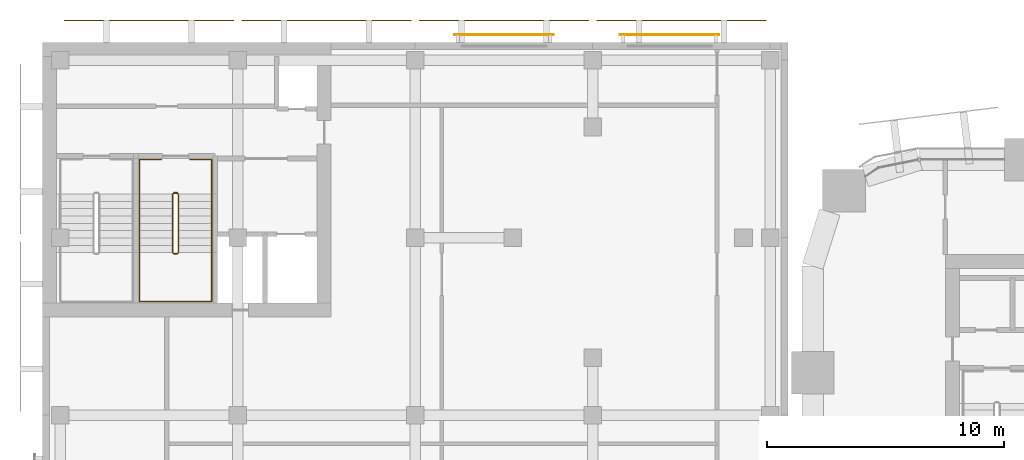
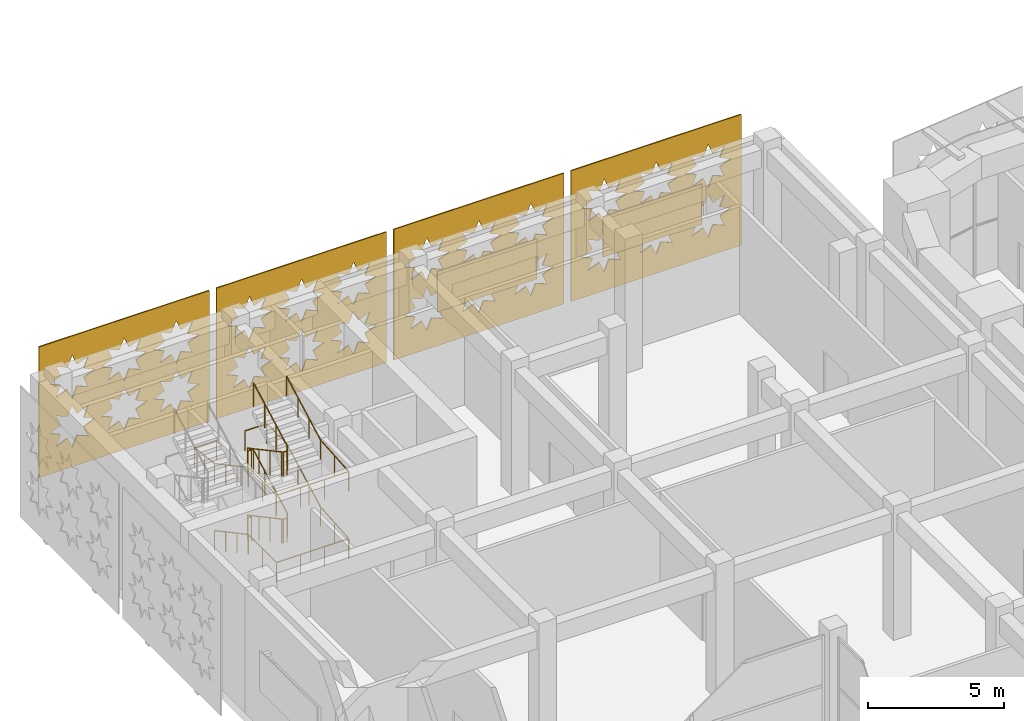
# One storey, part 40 of 46: 6 coverings, 3 railings.
"""IFC4 building model written with IfcOpenShell, lengths in metres."""

from ifc_helpers import new_model, si_unit, direction, frame, origin, origin_2d, place, context, subcontext, project, spatial, polyline, rectangle, circle, outline, extrude, material, layer, layer_set, type_object, element, save


model = new_model("IFC4")

# Units and contexts
model_context = context("Model", 3, precision=1e-05, world=origin(), true_north=direction((0.0, 1.0)))
body_context = subcontext(model_context, "Body", "Model", "MODEL_VIEW")
ifc_project = project(units=[si_unit("LENGTHUNIT", "METRE"), si_unit("AREAUNIT", "SQUARE_METRE"), si_unit("VOLUMEUNIT", "CUBIC_METRE"), si_unit("PLANEANGLEUNIT", "RADIAN"), si_unit("MASSUNIT", "GRAM", prefix="KILO")], contexts=[model_context])

# Site, building, storey
site_placement = place(None, origin())
site = spatial("IfcSite", under=ifc_project, at=site_placement, CompositionType="ELEMENT")
building_placement = place(site_placement, origin())
building = spatial("IfcBuilding", under=site, at=building_placement, Name="Tessera Arch", CompositionType="ELEMENT")
storey_placement = place(building_placement, frame((0.0, 0.0, 8.0)))
storey = spatial("IfcBuildingStorey", under=building, at=storey_placement, Name="L01", CompositionType="ELEMENT", Elevation=8.0)

# Coverings
ifc_material_1 = material(Name="Anodised aluminium pale metal", Category="aluminium")
ifc_layer_1 = layer(ifc_material_1, 0.050048828125)
ifc_layer_set_1 = layer_set([ifc_layer_1], Name="Museum lattice skin panel")
covering_type_1 = type_object("IfcCoveringType", Name="Museum lattice skin panel", PredefinedType="CLADDING", material=ifc_layer_set_1)
covering_1_placement = place(storey_placement, frame((-1.949951171875, 59.85009765625, 5.949951171875), z_axis=(0.0, -1.0, 0.0), x_axis=(-1.0, 0.0, 0.0)))
element("IfcCovering", 1, at=covering_1_placement, inside=storey, type_object=covering_type_1, Name="Museum lattice skin L01 5-2", PredefinedType="CLADDING", context=body_context, shape_type="SweptSolid", body=[
    extrude(outline(polyline([(0.0, 0.0), (7.199951171875, 0.0), (7.199951171875, 5.849853515625), (0.0, 5.849853515625), (0.0, 0.0)]), holes=[polyline([(2.3681640625, 4.02490234375), (1.887939453125, 3.822998046875), (2.083984375, 3.341064453125), (1.60205078125, 3.536865234375), (1.400146484375, 3.056884765625), (1.197998046875, 3.536865234375), (0.716064453125, 3.341064453125), (0.912109375, 3.822998046875), (0.43212890625, 4.02490234375), (0.912109375, 4.22705078125), (0.716064453125, 4.708984375), (1.197998046875, 4.512939453125), (1.400146484375, 4.992919921875), (1.60205078125, 4.512939453125), (2.083984375, 4.708984375), (1.887939453125, 4.22705078125), (2.3681640625, 4.02490234375)]), polyline([(2.3681640625, 1.824951171875), (1.887939453125, 1.623046875), (2.083984375, 1.140869140625), (1.60205078125, 1.3369140625), (1.400146484375, 0.85693359375), (1.197998046875, 1.3369140625), (0.716064453125, 1.140869140625), (0.912109375, 1.623046875), (0.43212890625, 1.824951171875), (0.912109375, 2.02685546875), (0.716064453125, 2.509033203125), (1.197998046875, 2.31298828125), (1.400146484375, 2.79296875), (1.60205078125, 2.31298828125), (2.083984375, 2.509033203125), (1.887939453125, 2.02685546875), (2.3681640625, 1.824951171875)]), polyline([(4.568115234375, 4.02490234375), (4.088134765625, 3.822998046875), (4.283935546875, 3.341064453125), (3.802001953125, 3.536865234375), (3.60009765625, 3.056884765625), (3.39794921875, 3.536865234375), (2.916015625, 3.341064453125), (3.112060546875, 3.822998046875), (2.632080078125, 4.02490234375), (3.112060546875, 4.22705078125), (2.916015625, 4.708984375), (3.39794921875, 4.512939453125), (3.60009765625, 4.992919921875), (3.802001953125, 4.512939453125), (4.283935546875, 4.708984375), (4.088134765625, 4.22705078125), (4.568115234375, 4.02490234375)]), polyline([(4.568115234375, 1.824951171875), (4.088134765625, 1.623046875), (4.283935546875, 1.140869140625), (3.802001953125, 1.3369140625), (3.60009765625, 0.85693359375), (3.39794921875, 1.3369140625), (2.916015625, 1.140869140625), (3.112060546875, 1.623046875), (2.632080078125, 1.824951171875), (3.112060546875, 2.02685546875), (2.916015625, 2.509033203125), (3.39794921875, 2.31298828125), (3.60009765625, 2.79296875), (3.802001953125, 2.31298828125), (4.283935546875, 2.509033203125), (4.088134765625, 2.02685546875), (4.568115234375, 1.824951171875)]), polyline([(6.76806640625, 4.02490234375), (6.2880859375, 3.822998046875), (6.484130859375, 3.341064453125), (6.001953125, 3.536865234375), (5.800048828125, 3.056884765625), (5.59814453125, 3.536865234375), (5.115966796875, 3.341064453125), (5.31201171875, 3.822998046875), (4.83203125, 4.02490234375), (5.31201171875, 4.22705078125), (5.115966796875, 4.708984375), (5.59814453125, 4.512939453125), (5.800048828125, 4.992919921875), (6.001953125, 4.512939453125), (6.484130859375, 4.708984375), (6.2880859375, 4.22705078125), (6.76806640625, 4.02490234375)]), polyline([(6.76806640625, 1.824951171875), (6.2880859375, 1.623046875), (6.484130859375, 1.140869140625), (6.001953125, 1.3369140625), (5.800048828125, 0.85693359375), (5.59814453125, 1.3369140625), (5.115966796875, 1.140869140625), (5.31201171875, 1.623046875), (4.83203125, 1.824951171875), (5.31201171875, 2.02685546875), (5.115966796875, 2.509033203125), (5.59814453125, 2.31298828125), (5.800048828125, 2.79296875), (6.001953125, 2.31298828125), (6.484130859375, 2.509033203125), (6.2880859375, 2.02685546875), (6.76806640625, 1.824951171875)])]), origin(), (0.0, 0.0, -1.0), 0.050048828125),
])
covering_2_placement = place(storey_placement, frame((-9.449951171875, 59.85009765625, 5.949951171875), z_axis=(0.0, -1.0, 0.0), x_axis=(-1.0, 0.0, 0.0)))
element("IfcCovering", 2, at=covering_2_placement, inside=storey, type_object=covering_type_1, Name="Museum lattice skin L01 5-3", PredefinedType="CLADDING", context=body_context, shape_type="SweptSolid", body=[
    extrude(outline(polyline([(0.0, 0.0), (7.199951171875, 0.0), (7.199951171875, 5.849853515625), (0.0, 5.849853515625), (0.0, 0.0)]), holes=[polyline([(2.3681640625, 4.02490234375), (1.887939453125, 3.822998046875), (2.083984375, 3.341064453125), (1.60205078125, 3.536865234375), (1.400146484375, 3.056884765625), (1.197998046875, 3.536865234375), (0.716064453125, 3.341064453125), (0.912109375, 3.822998046875), (0.43212890625, 4.02490234375), (0.912109375, 4.22705078125), (0.716064453125, 4.708984375), (1.197998046875, 4.512939453125), (1.400146484375, 4.992919921875), (1.60205078125, 4.512939453125), (2.083984375, 4.708984375), (1.887939453125, 4.22705078125), (2.3681640625, 4.02490234375)]), polyline([(2.3681640625, 1.824951171875), (1.887939453125, 1.623046875), (2.083984375, 1.140869140625), (1.60205078125, 1.3369140625), (1.400146484375, 0.85693359375), (1.197998046875, 1.3369140625), (0.716064453125, 1.140869140625), (0.912109375, 1.623046875), (0.43212890625, 1.824951171875), (0.912109375, 2.02685546875), (0.716064453125, 2.509033203125), (1.197998046875, 2.31298828125), (1.400146484375, 2.79296875), (1.60205078125, 2.31298828125), (2.083984375, 2.509033203125), (1.887939453125, 2.02685546875), (2.3681640625, 1.824951171875)]), polyline([(4.568115234375, 4.02490234375), (4.088134765625, 3.822998046875), (4.283935546875, 3.341064453125), (3.802001953125, 3.536865234375), (3.60009765625, 3.056884765625), (3.39794921875, 3.536865234375), (2.916015625, 3.341064453125), (3.112060546875, 3.822998046875), (2.632080078125, 4.02490234375), (3.112060546875, 4.22705078125), (2.916015625, 4.708984375), (3.39794921875, 4.512939453125), (3.60009765625, 4.992919921875), (3.802001953125, 4.512939453125), (4.283935546875, 4.708984375), (4.088134765625, 4.22705078125), (4.568115234375, 4.02490234375)]), polyline([(4.568115234375, 1.824951171875), (4.088134765625, 1.623046875), (4.283935546875, 1.140869140625), (3.802001953125, 1.3369140625), (3.60009765625, 0.85693359375), (3.39794921875, 1.3369140625), (2.916015625, 1.140869140625), (3.112060546875, 1.623046875), (2.632080078125, 1.824951171875), (3.112060546875, 2.02685546875), (2.916015625, 2.509033203125), (3.39794921875, 2.31298828125), (3.60009765625, 2.79296875), (3.802001953125, 2.31298828125), (4.283935546875, 2.509033203125), (4.088134765625, 2.02685546875), (4.568115234375, 1.824951171875)]), polyline([(6.76806640625, 4.02490234375), (6.2880859375, 3.822998046875), (6.484130859375, 3.341064453125), (6.001953125, 3.536865234375), (5.800048828125, 3.056884765625), (5.59814453125, 3.536865234375), (5.115966796875, 3.341064453125), (5.31201171875, 3.822998046875), (4.83203125, 4.02490234375), (5.31201171875, 4.22705078125), (5.115966796875, 4.708984375), (5.59814453125, 4.512939453125), (5.800048828125, 4.992919921875), (6.001953125, 4.512939453125), (6.484130859375, 4.708984375), (6.2880859375, 4.22705078125), (6.76806640625, 4.02490234375)]), polyline([(6.76806640625, 1.824951171875), (6.2880859375, 1.623046875), (6.484130859375, 1.140869140625), (6.001953125, 1.3369140625), (5.800048828125, 0.85693359375), (5.59814453125, 1.3369140625), (5.115966796875, 1.140869140625), (5.31201171875, 1.623046875), (4.83203125, 1.824951171875), (5.31201171875, 2.02685546875), (5.115966796875, 2.509033203125), (5.59814453125, 2.31298828125), (5.800048828125, 2.79296875), (6.001953125, 2.31298828125), (6.484130859375, 2.509033203125), (6.2880859375, 2.02685546875), (6.76806640625, 1.824951171875)])]), origin(), (0.0, 0.0, -1.0), 0.050048828125),
])
covering_3_placement = place(storey_placement, frame((-16.949951171875, 59.85009765625, 5.949951171875), z_axis=(0.0, -1.0, 0.0), x_axis=(-1.0, 0.0, 0.0)))
element("IfcCovering", 3, at=covering_3_placement, inside=storey, type_object=covering_type_1, Name="Museum lattice skin L01 5-4", PredefinedType="CLADDING", context=body_context, shape_type="SweptSolid", body=[
    extrude(outline(polyline([(0.0, 0.0), (7.199951171875, 0.0), (7.199951171875, 5.849853515625), (0.0, 5.849853515625), (0.0, 0.0)]), holes=[polyline([(2.3681640625, 4.02490234375), (1.887939453125, 3.822998046875), (2.083984375, 3.341064453125), (1.60205078125, 3.536865234375), (1.400146484375, 3.056884765625), (1.197998046875, 3.536865234375), (0.716064453125, 3.341064453125), (0.912109375, 3.822998046875), (0.43212890625, 4.02490234375), (0.912109375, 4.22705078125), (0.716064453125, 4.708984375), (1.197998046875, 4.512939453125), (1.400146484375, 4.992919921875), (1.60205078125, 4.512939453125), (2.083984375, 4.708984375), (1.887939453125, 4.22705078125), (2.3681640625, 4.02490234375)]), polyline([(2.3681640625, 1.824951171875), (1.887939453125, 1.623046875), (2.083984375, 1.140869140625), (1.60205078125, 1.3369140625), (1.400146484375, 0.85693359375), (1.197998046875, 1.3369140625), (0.716064453125, 1.140869140625), (0.912109375, 1.623046875), (0.43212890625, 1.824951171875), (0.912109375, 2.02685546875), (0.716064453125, 2.509033203125), (1.197998046875, 2.31298828125), (1.400146484375, 2.79296875), (1.60205078125, 2.31298828125), (2.083984375, 2.509033203125), (1.887939453125, 2.02685546875), (2.3681640625, 1.824951171875)]), polyline([(4.568115234375, 4.02490234375), (4.088134765625, 3.822998046875), (4.283935546875, 3.341064453125), (3.802001953125, 3.536865234375), (3.60009765625, 3.056884765625), (3.39794921875, 3.536865234375), (2.916015625, 3.341064453125), (3.112060546875, 3.822998046875), (2.632080078125, 4.02490234375), (3.112060546875, 4.22705078125), (2.916015625, 4.708984375), (3.39794921875, 4.512939453125), (3.60009765625, 4.992919921875), (3.802001953125, 4.512939453125), (4.283935546875, 4.708984375), (4.088134765625, 4.22705078125), (4.568115234375, 4.02490234375)]), polyline([(4.568115234375, 1.824951171875), (4.088134765625, 1.623046875), (4.283935546875, 1.140869140625), (3.802001953125, 1.3369140625), (3.60009765625, 0.85693359375), (3.39794921875, 1.3369140625), (2.916015625, 1.140869140625), (3.112060546875, 1.623046875), (2.632080078125, 1.824951171875), (3.112060546875, 2.02685546875), (2.916015625, 2.509033203125), (3.39794921875, 2.31298828125), (3.60009765625, 2.79296875), (3.802001953125, 2.31298828125), (4.283935546875, 2.509033203125), (4.088134765625, 2.02685546875), (4.568115234375, 1.824951171875)]), polyline([(6.76806640625, 4.02490234375), (6.2880859375, 3.822998046875), (6.484130859375, 3.341064453125), (6.001953125, 3.536865234375), (5.800048828125, 3.056884765625), (5.59814453125, 3.536865234375), (5.115966796875, 3.341064453125), (5.31201171875, 3.822998046875), (4.83203125, 4.02490234375), (5.31201171875, 4.22705078125), (5.115966796875, 4.708984375), (5.59814453125, 4.512939453125), (5.800048828125, 4.992919921875), (6.001953125, 4.512939453125), (6.484130859375, 4.708984375), (6.2880859375, 4.22705078125), (6.76806640625, 4.02490234375)]), polyline([(6.76806640625, 1.824951171875), (6.2880859375, 1.623046875), (6.484130859375, 1.140869140625), (6.001953125, 1.3369140625), (5.800048828125, 0.85693359375), (5.59814453125, 1.3369140625), (5.115966796875, 1.140869140625), (5.31201171875, 1.623046875), (4.83203125, 1.824951171875), (5.31201171875, 2.02685546875), (5.115966796875, 2.509033203125), (5.59814453125, 2.31298828125), (5.800048828125, 2.79296875), (6.001953125, 2.31298828125), (6.484130859375, 2.509033203125), (6.2880859375, 2.02685546875), (6.76806640625, 1.824951171875)])]), origin(), (0.0, 0.0, -1.0), 0.050048828125),
])
covering_4_placement = place(storey_placement, frame((-24.449951171875, 59.85009765625, 5.949951171875), z_axis=(0.0, -1.0, 0.0), x_axis=(-1.0, 0.0, 0.0)))
element("IfcCovering", 4, at=covering_4_placement, inside=storey, type_object=covering_type_1, Name="Museum lattice skin L01 5-5", PredefinedType="CLADDING", context=body_context, shape_type="SweptSolid", body=[
    extrude(outline(polyline([(0.0, 0.0), (7.199951171875, 0.0), (7.199951171875, 5.849853515625), (0.0, 5.849853515625), (0.0, 0.0)]), holes=[polyline([(2.3681640625, 4.02490234375), (1.887939453125, 3.822998046875), (2.083984375, 3.341064453125), (1.60205078125, 3.536865234375), (1.400146484375, 3.056884765625), (1.197998046875, 3.536865234375), (0.716064453125, 3.341064453125), (0.912109375, 3.822998046875), (0.43212890625, 4.02490234375), (0.912109375, 4.22705078125), (0.716064453125, 4.708984375), (1.197998046875, 4.512939453125), (1.400146484375, 4.992919921875), (1.60205078125, 4.512939453125), (2.083984375, 4.708984375), (1.887939453125, 4.22705078125), (2.3681640625, 4.02490234375)]), polyline([(2.3681640625, 1.824951171875), (1.887939453125, 1.623046875), (2.083984375, 1.140869140625), (1.60205078125, 1.3369140625), (1.400146484375, 0.85693359375), (1.197998046875, 1.3369140625), (0.716064453125, 1.140869140625), (0.912109375, 1.623046875), (0.43212890625, 1.824951171875), (0.912109375, 2.02685546875), (0.716064453125, 2.509033203125), (1.197998046875, 2.31298828125), (1.400146484375, 2.79296875), (1.60205078125, 2.31298828125), (2.083984375, 2.509033203125), (1.887939453125, 2.02685546875), (2.3681640625, 1.824951171875)]), polyline([(4.568115234375, 4.02490234375), (4.088134765625, 3.822998046875), (4.283935546875, 3.341064453125), (3.802001953125, 3.536865234375), (3.60009765625, 3.056884765625), (3.39794921875, 3.536865234375), (2.916015625, 3.341064453125), (3.112060546875, 3.822998046875), (2.632080078125, 4.02490234375), (3.112060546875, 4.22705078125), (2.916015625, 4.708984375), (3.39794921875, 4.512939453125), (3.60009765625, 4.992919921875), (3.802001953125, 4.512939453125), (4.283935546875, 4.708984375), (4.088134765625, 4.22705078125), (4.568115234375, 4.02490234375)]), polyline([(4.568115234375, 1.824951171875), (4.088134765625, 1.623046875), (4.283935546875, 1.140869140625), (3.802001953125, 1.3369140625), (3.60009765625, 0.85693359375), (3.39794921875, 1.3369140625), (2.916015625, 1.140869140625), (3.112060546875, 1.623046875), (2.632080078125, 1.824951171875), (3.112060546875, 2.02685546875), (2.916015625, 2.509033203125), (3.39794921875, 2.31298828125), (3.60009765625, 2.79296875), (3.802001953125, 2.31298828125), (4.283935546875, 2.509033203125), (4.088134765625, 2.02685546875), (4.568115234375, 1.824951171875)]), polyline([(6.76806640625, 4.02490234375), (6.2880859375, 3.822998046875), (6.484130859375, 3.341064453125), (6.001953125, 3.536865234375), (5.800048828125, 3.056884765625), (5.59814453125, 3.536865234375), (5.115966796875, 3.341064453125), (5.31201171875, 3.822998046875), (4.83203125, 4.02490234375), (5.31201171875, 4.22705078125), (5.115966796875, 4.708984375), (5.59814453125, 4.512939453125), (5.800048828125, 4.992919921875), (6.001953125, 4.512939453125), (6.484130859375, 4.708984375), (6.2880859375, 4.22705078125), (6.76806640625, 4.02490234375)]), polyline([(6.76806640625, 1.824951171875), (6.2880859375, 1.623046875), (6.484130859375, 1.140869140625), (6.001953125, 1.3369140625), (5.800048828125, 0.85693359375), (5.59814453125, 1.3369140625), (5.115966796875, 1.140869140625), (5.31201171875, 1.623046875), (4.83203125, 1.824951171875), (5.31201171875, 2.02685546875), (5.115966796875, 2.509033203125), (5.59814453125, 2.31298828125), (5.800048828125, 2.79296875), (6.001953125, 2.31298828125), (6.484130859375, 2.509033203125), (6.2880859375, 2.02685546875), (6.76806640625, 1.824951171875)])]), origin(), (0.0, 0.0, -1.0), 0.050048828125),
])
ifc_material_2 = material(Name="Anodised aluminium pale metal", Category="aluminium")
ifc_layer_2 = layer(ifc_material_2, 0.0400390625)
ifc_layer_set_2 = layer_set([ifc_layer_2], Name="Museum screen panel")
covering_type_2 = type_object("IfcCoveringType", Name="Museum screen panel", PredefinedType="CLADDING", material=ifc_layer_set_2)
for number, where, z_axis, x_axis, name in (
    (5, (-6.050048828125, 59.27001953125, 2.10009765625), (0.0, 0.0, 1.0), (-1.0, 0.0, 0.0), "Screen panel museum L01 5-2"),
    (6, (-13.050048828125, 59.27001953125, 2.10009765625), (0.0, 0.0, 1.0), (-1.0, 0.0, 0.0), "Screen panel museum L01 5-3"),
):
    element("IfcCovering", number, at=place(storey_placement, frame(where, z_axis=z_axis, x_axis=x_axis)), inside=storey, type_object=covering_type_2, Name=name, PredefinedType="CLADDING", context=body_context, shape_type="SweptSolid", body=[
        extrude(rectangle(XDim=4.199951171875, YDim=0.0400390625, at=origin_2d()), origin(), (0.0, 0.0, 1.0), 1.800048828125),
    ])

# Railings
ifc_material_3 = material(Name="Painted steel balustrade", Category="steel")
railing_type_1 = type_object("IfcRailingType", Name="Stair guard 1100", PredefinedType="GUARDRAIL", material=ifc_material_3)
railing_1_placement = place(storey_placement, frame((-27.0, 52.60009765625, 0.0)))
element("IfcRailing", 7, at=railing_1_placement, inside=storey, type_object=railing_type_1, Name="L01 M1b stair guard 1", PredefinedType="GUARDRAIL", context=body_context, shape_type="SweptSolid", body=[
    extrude(circle(Radius=0.02392578125, at=origin_2d()), frame((-0.00390625, 0.0, 1.076171875), z_axis=(1.0, 0.0, 0.0), x_axis=(0.0, 1.0, 0.0)), (0.0, 0.0, 1.0), 0.157958984375),
    extrude(circle(Radius=0.02392578125, at=origin_2d()), frame((0.15283203125, 0.000732421875, 1.073486328125), z_axis=(-0.754182335027, -0.188775798145, 0.628945707965), x_axis=(0.242814311512, -0.970072785993, 0.0)), (0.0, 0.0, 1.0), 0.273193359375),
    extrude(circle(Radius=0.02392578125, at=origin_2d()), frame((-0.050048828125, -0.046630859375, 1.240966796875), z_axis=(0.0, -0.880785522881, 0.473515430248), x_axis=(1.0, 0.0, 0.0)), (0.0, 0.0, 1.0), 2.82373046875),
    extrude(circle(Radius=0.02392578125, at=origin_2d()), frame((-0.052978515625, -2.527099609375, 2.576171875), z_axis=(0.707106781187, -0.707106781187, 0.0), x_axis=(0.707106781187, 0.707106781187, 0.0)), (0.0, 0.0, 1.0), 0.078857421875),
    extrude(circle(Radius=0.02392578125, at=origin_2d()), frame((-0.00390625, -2.580078125, 2.576171875), z_axis=(1.0, 0.0, 0.0), x_axis=(0.0, 1.0, 0.0)), (0.0, 0.0, 1.0), 0.157958984375),
    extrude(circle(Radius=0.02392578125, at=origin_2d()), frame((0.148681640625, -2.581298828125, 2.572265625), z_axis=(0.27628659633, 0.27628659633, 0.920506074601), x_axis=(-0.707106781187, 0.707106781187, 0.0)), (0.0, 0.0, 1.0), 0.189208984375),
    extrude(circle(Radius=0.02392578125, at=origin_2d()), frame((0.199951171875, -2.533447265625, 2.740966796875), z_axis=(0.0, 0.880785522881, 0.473515430248), x_axis=(-1.0, 0.0, 0.0)), (0.0, 0.0, 1.0), 2.82373046875),
    extrude(circle(Radius=0.02392578125, at=origin_2d()), frame((0.203857421875, -0.051025390625, 4.076171875), z_axis=(-0.970072785993, 0.242814311512, 0.0), x_axis=(-0.242814311512, -0.970072785993, 0.0)), (0.0, 0.0, 1.0), 0.214111328125),
    extrude(circle(Radius=0.02392578125, at=origin_2d()), frame((-0.00390625, 0.0, 4.076171875), z_axis=(1.0, 0.0, 0.0), x_axis=(0.0, 1.0, 0.0)), (0.0, 0.0, 1.0), 0.157958984375),
    extrude(circle(Radius=0.02392578125, at=origin_2d()), frame((0.15283203125, 0.000732421875, 4.073486328125), z_axis=(-0.754182335027, -0.188775798145, 0.628945707965), x_axis=(0.242814311512, -0.970072785993, 0.0)), (0.0, 0.0, 1.0), 0.273193359375),
    extrude(circle(Radius=0.02392578125, at=origin_2d()), frame((-0.050048828125, -0.046630859375, 4.240966796875), z_axis=(0.0, -0.880785522881, 0.473515430248), x_axis=(1.0, 0.0, 0.0)), (0.0, 0.0, 1.0), 2.82373046875),
    extrude(circle(Radius=0.02392578125, at=origin_2d()), frame((-0.052978515625, -2.527099609375, 5.576171875), z_axis=(0.707106781187, -0.707106781187, 0.0), x_axis=(0.707106781187, 0.707106781187, 0.0)), (0.0, 0.0, 1.0), 0.078857421875),
    extrude(circle(Radius=0.02392578125, at=origin_2d()), frame((-0.00390625, -2.580078125, 5.576171875), z_axis=(1.0, 0.0, 0.0), x_axis=(0.0, 1.0, 0.0)), (0.0, 0.0, 1.0), 0.157958984375),
    extrude(circle(Radius=0.02392578125, at=origin_2d()), frame((0.148681640625, -2.581298828125, 5.572265625), z_axis=(0.27628659633, 0.27628659633, 0.920506074601), x_axis=(-0.707106781187, 0.707106781187, 0.0)), (0.0, 0.0, 1.0), 0.189208984375),
    extrude(circle(Radius=0.02392578125, at=origin_2d()), frame((0.199951171875, -2.533447265625, 5.740966796875), z_axis=(0.0, 0.880785522881, 0.473515430248), x_axis=(-1.0, 0.0, 0.0)), (0.0, 0.0, 1.0), 2.82373046875),
    extrude(circle(Radius=0.02099609375, at=origin_2d()), origin(), (0.0, 0.0, 1.0), 1.06396484375),
    extrude(circle(Radius=0.02099609375, at=origin_2d()), frame((0.14990234375, 0.0, 0.0)), (0.0, 0.0, 1.0), 1.06396484375),
    extrude(circle(Radius=0.02099609375, at=origin_2d()), frame((-0.050048828125, -0.050048828125, 0.166748046875)), (0.0, 0.0, 1.0), 1.06396484375),
    extrude(circle(Radius=0.02099609375, at=origin_2d()), frame((-0.050048828125, -0.876708984375, 0.611083984375)), (0.0, 0.0, 1.0), 1.06396484375),
    extrude(circle(Radius=0.02099609375, at=origin_2d()), frame((-0.050048828125, -1.703369140625, 1.0556640625)), (0.0, 0.0, 1.0), 1.06396484375),
    extrude(circle(Radius=0.02099609375, at=origin_2d()), frame((-0.050048828125, -2.530029296875, 1.5)), (0.0, 0.0, 1.0), 1.06396484375),
    extrude(circle(Radius=0.02099609375, at=origin_2d()), frame((0.0, -2.580078125, 1.5)), (0.0, 0.0, 1.0), 1.06396484375),
    extrude(circle(Radius=0.02099609375, at=origin_2d()), frame((0.14990234375, -2.580078125, 1.5)), (0.0, 0.0, 1.0), 1.06396484375),
    extrude(circle(Radius=0.02099609375, at=origin_2d()), frame((0.199951171875, -2.530029296875, 1.666748046875)), (0.0, 0.0, 1.0), 1.06396484375),
    extrude(circle(Radius=0.02099609375, at=origin_2d()), frame((0.199951171875, -1.703369140625, 2.111083984375)), (0.0, 0.0, 1.0), 1.06396484375),
    extrude(circle(Radius=0.02099609375, at=origin_2d()), frame((0.199951171875, -0.876708984375, 2.5556640625)), (0.0, 0.0, 1.0), 1.06396484375),
    extrude(circle(Radius=0.02099609375, at=origin_2d()), frame((0.199951171875, -0.050048828125, 3.0)), (0.0, 0.0, 1.0), 1.06396484375),
    extrude(circle(Radius=0.02099609375, at=origin_2d()), frame((0.0, 0.0, 3.0)), (0.0, 0.0, 1.0), 1.06396484375),
    extrude(circle(Radius=0.02099609375, at=origin_2d()), frame((0.14990234375, 0.0, 3.0)), (0.0, 0.0, 1.0), 1.06396484375),
    extrude(circle(Radius=0.02099609375, at=origin_2d()), frame((-0.050048828125, -0.050048828125, 3.166748046875)), (0.0, 0.0, 1.0), 1.06396484375),
    extrude(circle(Radius=0.02099609375, at=origin_2d()), frame((-0.050048828125, -0.876708984375, 3.611083984375)), (0.0, 0.0, 1.0), 1.06396484375),
    extrude(circle(Radius=0.02099609375, at=origin_2d()), frame((-0.050048828125, -1.703369140625, 4.0556640625)), (0.0, 0.0, 1.0), 1.06396484375),
    extrude(circle(Radius=0.02099609375, at=origin_2d()), frame((-0.050048828125, -2.530029296875, 4.5)), (0.0, 0.0, 1.0), 1.06396484375),
    extrude(circle(Radius=0.02099609375, at=origin_2d()), frame((0.0, -2.580078125, 4.5)), (0.0, 0.0, 1.0), 1.06396484375),
    extrude(circle(Radius=0.02099609375, at=origin_2d()), frame((0.14990234375, -2.580078125, 4.5)), (0.0, 0.0, 1.0), 1.06396484375),
    extrude(circle(Radius=0.02099609375, at=origin_2d()), frame((0.199951171875, -2.530029296875, 4.666748046875)), (0.0, 0.0, 1.0), 1.06396484375),
    extrude(circle(Radius=0.02099609375, at=origin_2d()), frame((0.199951171875, -1.703369140625, 5.111083984375)), (0.0, 0.0, 1.0), 1.06396484375),
    extrude(circle(Radius=0.02099609375, at=origin_2d()), frame((0.199951171875, -0.876708984375, 5.5556640625)), (0.0, 0.0, 1.0), 1.06396484375),
    extrude(circle(Radius=0.02099609375, at=origin_2d()), frame((0.199951171875, -0.050048828125, 6.0)), (0.0, 0.0, 1.0), 1.06396484375),
])
ifc_material_4 = material(Name="Painted steel handrail", Category="steel")
railing_type_2 = type_object("IfcRailingType", Name="Stair handrail 900", PredefinedType="HANDRAIL", material=ifc_material_4)
railing_2_placement = place(storey_placement, frame((-28.449951171875, 52.550048828125, 0.166748046875)))
element("IfcRailing", 8, at=railing_2_placement, inside=storey, type_object=railing_type_2, Name="L01 M1b stair handrail", PredefinedType="HANDRAIL", context=body_context, shape_type="SweptSolid", body=[
    extrude(circle(Radius=0.02392578125, at=origin_2d()), frame((0.0, 0.00341796875, 0.8740234375), z_axis=(0.0, -0.880785522881, 0.473515430248), x_axis=(1.0, 0.0, 0.0)), (0.0, 0.0, 1.0), 2.82373046875),
    extrude(circle(Radius=0.02392578125, at=origin_2d()), frame((0.0, -2.47607421875, 2.208984375), z_axis=(0.0, -1.0, 0.0), x_axis=(1.0, 0.0, 0.0)), (0.0, 0.0, 1.0), 2.078125),
    extrude(circle(Radius=0.02392578125, at=origin_2d()), frame((-0.00390625, -4.550048828125, 2.208984375), z_axis=(1.0, 0.0, 0.0), x_axis=(0.0, 1.0, 0.0)), (0.0, 0.0, 1.0), 3.05810546875),
    extrude(circle(Radius=0.02392578125, at=origin_2d()), frame((3.050048828125, -4.553955078125, 2.208740234375), z_axis=(0.0, 0.996771394942, 0.080291881442), x_axis=(-1.0, 0.0, 0.0)), (0.0, 0.0, 1.0), 2.084716796875),
    extrude(circle(Radius=0.02392578125, at=origin_2d()), frame((3.050048828125, -2.4833984375, 2.3740234375), z_axis=(0.0, 0.880785522881, 0.473515430248), x_axis=(-1.0, 0.0, 0.0)), (0.0, 0.0, 1.0), 2.82373046875),
    extrude(circle(Radius=0.02392578125, at=origin_2d()), frame((3.050048828125, -0.00390625, 3.708984375), z_axis=(0.0, 1.0, 0.0), x_axis=(-1.0, 0.0, 0.0)), (0.0, 0.0, 1.0), 1.4580078125),
    extrude(circle(Radius=0.02392578125, at=origin_2d()), frame((3.053955078125, 1.449951171875, 3.708984375), z_axis=(-1.0, 0.0, 0.0), x_axis=(0.0, -1.0, 0.0)), (0.0, 0.0, 1.0), 0.93310546875),
    extrude(circle(Radius=0.02099609375, at=origin_2d()), origin(), (0.0, 0.0, 1.0), 0.86376953125),
    extrude(circle(Radius=0.02099609375, at=origin_2d()), frame((0.0, -0.82666015625, 0.4443359375)), (0.0, 0.0, 1.0), 0.86376953125),
    extrude(circle(Radius=0.02099609375, at=origin_2d()), frame((0.0, -1.6533203125, 0.888916015625)), (0.0, 0.0, 1.0), 0.86376953125),
    extrude(circle(Radius=0.02099609375, at=origin_2d()), frame((0.0, -2.47998046875, 1.333251953125)), (0.0, 0.0, 1.0), 0.86376953125),
    extrude(circle(Radius=0.02099609375, at=origin_2d()), frame((0.0, -3.51513671875, 1.333251953125)), (0.0, 0.0, 1.0), 0.86376953125),
    extrude(circle(Radius=0.02099609375, at=origin_2d()), frame((0.0, -4.550048828125, 1.333251953125)), (0.0, 0.0, 1.0), 0.86376953125),
    extrude(circle(Radius=0.02099609375, at=origin_2d()), frame((1.0166015625, -4.550048828125, 1.333251953125)), (0.0, 0.0, 1.0), 0.86376953125),
    extrude(circle(Radius=0.02099609375, at=origin_2d()), frame((2.033447265625, -4.550048828125, 1.333251953125)), (0.0, 0.0, 1.0), 0.86376953125),
    extrude(circle(Radius=0.02099609375, at=origin_2d()), frame((3.050048828125, -4.550048828125, 1.333251953125)), (0.0, 0.0, 1.0), 0.86376953125),
    extrude(circle(Radius=0.02099609375, at=origin_2d()), frame((3.050048828125, -3.51513671875, 1.41650390625)), (0.0, 0.0, 1.0), 0.86376953125),
    extrude(circle(Radius=0.02099609375, at=origin_2d()), frame((3.050048828125, -2.47998046875, 1.5)), (0.0, 0.0, 1.0), 0.86376953125),
    extrude(circle(Radius=0.02099609375, at=origin_2d()), frame((3.050048828125, -1.6533203125, 1.9443359375)), (0.0, 0.0, 1.0), 0.86376953125),
    extrude(circle(Radius=0.02099609375, at=origin_2d()), frame((3.050048828125, -0.82666015625, 2.388916015625)), (0.0, 0.0, 1.0), 0.86376953125),
    extrude(circle(Radius=0.02099609375, at=origin_2d()), frame((3.050048828125, 0.0, 2.833251953125)), (0.0, 0.0, 1.0), 0.86376953125),
    extrude(circle(Radius=0.02099609375, at=origin_2d()), frame((3.050048828125, 0.72509765625, 2.833251953125)), (0.0, 0.0, 1.0), 0.86376953125),
    extrude(circle(Radius=0.02099609375, at=origin_2d()), frame((3.050048828125, 1.449951171875, 2.833251953125)), (0.0, 0.0, 1.0), 0.86376953125),
    extrude(circle(Radius=0.02099609375, at=origin_2d()), frame((2.125, 1.449951171875, 2.833251953125)), (0.0, 0.0, 1.0), 0.86376953125),
])
railing_3_placement = place(storey_placement, frame((-27.52490234375, 54.0, 3.0)))
element("IfcRailing", 9, at=railing_3_placement, inside=storey, type_object=railing_type_2, Name="L01 M1b stair handrail 2", PredefinedType="HANDRAIL", context=body_context, shape_type="SweptSolid", body=[
    extrude(circle(Radius=0.02392578125, at=origin_2d()), frame((0.00390625, 0.0, 0.8759765625), z_axis=(-1.0, 0.0, 0.0), x_axis=(0.0, -1.0, 0.0)), (0.0, 0.0, 1.0), 0.93310546875),
    extrude(circle(Radius=0.02392578125, at=origin_2d()), frame((-0.925048828125, 0.00390625, 0.87548828125), z_axis=(0.0, -0.993452088381, 0.114249499304), x_axis=(1.0, 0.0, 0.0)), (0.0, 0.0, 1.0), 1.467529296875),
    extrude(circle(Radius=0.02392578125, at=origin_2d()), frame((-0.925048828125, -1.446533203125, 1.040771484375), z_axis=(0.0, -0.880785522881, 0.473515430248), x_axis=(1.0, 0.0, 0.0)), (0.0, 0.0, 1.0), 2.82373046875),
    extrude(circle(Radius=0.02392578125, at=origin_2d()), frame((-0.925048828125, -3.926025390625, 2.3759765625), z_axis=(0.0, -1.0, 0.0), x_axis=(1.0, 0.0, 0.0)), (0.0, 0.0, 1.0), 2.078125),
    extrude(circle(Radius=0.02392578125, at=origin_2d()), frame((-0.928955078125, -6.0, 2.3759765625), z_axis=(1.0, 0.0, 0.0), x_axis=(0.0, 1.0, 0.0)), (0.0, 0.0, 1.0), 3.05810546875),
    extrude(circle(Radius=0.02392578125, at=origin_2d()), frame((2.125, -6.00390625, 2.37548828125), z_axis=(0.0, 0.996771394942, 0.080291881442), x_axis=(-1.0, 0.0, 0.0)), (0.0, 0.0, 1.0), 2.084716796875),
    extrude(circle(Radius=0.02392578125, at=origin_2d()), frame((2.125, -3.933349609375, 2.540771484375), z_axis=(0.0, 0.880785522881, 0.473515430248), x_axis=(-1.0, 0.0, 0.0)), (0.0, 0.0, 1.0), 2.82373046875),
    extrude(circle(Radius=0.02099609375, at=origin_2d()), origin(), (0.0, 0.0, 1.0), 0.86376953125),
    extrude(circle(Radius=0.02099609375, at=origin_2d()), frame((-0.925048828125, 0.0, 0.0)), (0.0, 0.0, 1.0), 0.86376953125),
    extrude(circle(Radius=0.02099609375, at=origin_2d()), frame((-0.925048828125, -0.72509765625, 0.08349609375)), (0.0, 0.0, 1.0), 0.86376953125),
    extrude(circle(Radius=0.02099609375, at=origin_2d()), frame((-0.925048828125, -1.449951171875, 0.166748046875)), (0.0, 0.0, 1.0), 0.86376953125),
    extrude(circle(Radius=0.02099609375, at=origin_2d()), frame((-0.925048828125, -2.276611328125, 0.611083984375)), (0.0, 0.0, 1.0), 0.86376953125),
    extrude(circle(Radius=0.02099609375, at=origin_2d()), frame((-0.925048828125, -3.103271484375, 1.0556640625)), (0.0, 0.0, 1.0), 0.86376953125),
    extrude(circle(Radius=0.02099609375, at=origin_2d()), frame((-0.925048828125, -3.929931640625, 1.5)), (0.0, 0.0, 1.0), 0.86376953125),
    extrude(circle(Radius=0.02099609375, at=origin_2d()), frame((-0.925048828125, -4.96484375, 1.5)), (0.0, 0.0, 1.0), 0.86376953125),
    extrude(circle(Radius=0.02099609375, at=origin_2d()), frame((-0.925048828125, -6.0, 1.5)), (0.0, 0.0, 1.0), 0.86376953125),
    extrude(circle(Radius=0.02099609375, at=origin_2d()), frame((0.091552734375, -6.0, 1.5)), (0.0, 0.0, 1.0), 0.86376953125),
    extrude(circle(Radius=0.02099609375, at=origin_2d()), frame((1.1083984375, -6.0, 1.5)), (0.0, 0.0, 1.0), 0.86376953125),
    extrude(circle(Radius=0.02099609375, at=origin_2d()), frame((2.125, -6.0, 1.5)), (0.0, 0.0, 1.0), 0.86376953125),
    extrude(circle(Radius=0.02099609375, at=origin_2d()), frame((2.125, -4.96484375, 1.58349609375)), (0.0, 0.0, 1.0), 0.86376953125),
    extrude(circle(Radius=0.02099609375, at=origin_2d()), frame((2.125, -3.929931640625, 1.666748046875)), (0.0, 0.0, 1.0), 0.86376953125),
    extrude(circle(Radius=0.02099609375, at=origin_2d()), frame((2.125, -3.103271484375, 2.111083984375)), (0.0, 0.0, 1.0), 0.86376953125),
    extrude(circle(Radius=0.02099609375, at=origin_2d()), frame((2.125, -2.276611328125, 2.5556640625)), (0.0, 0.0, 1.0), 0.86376953125),
    extrude(circle(Radius=0.02099609375, at=origin_2d()), frame((2.125, -1.449951171875, 3.0)), (0.0, 0.0, 1.0), 0.86376953125),
])

save(model, "model.ifc")
